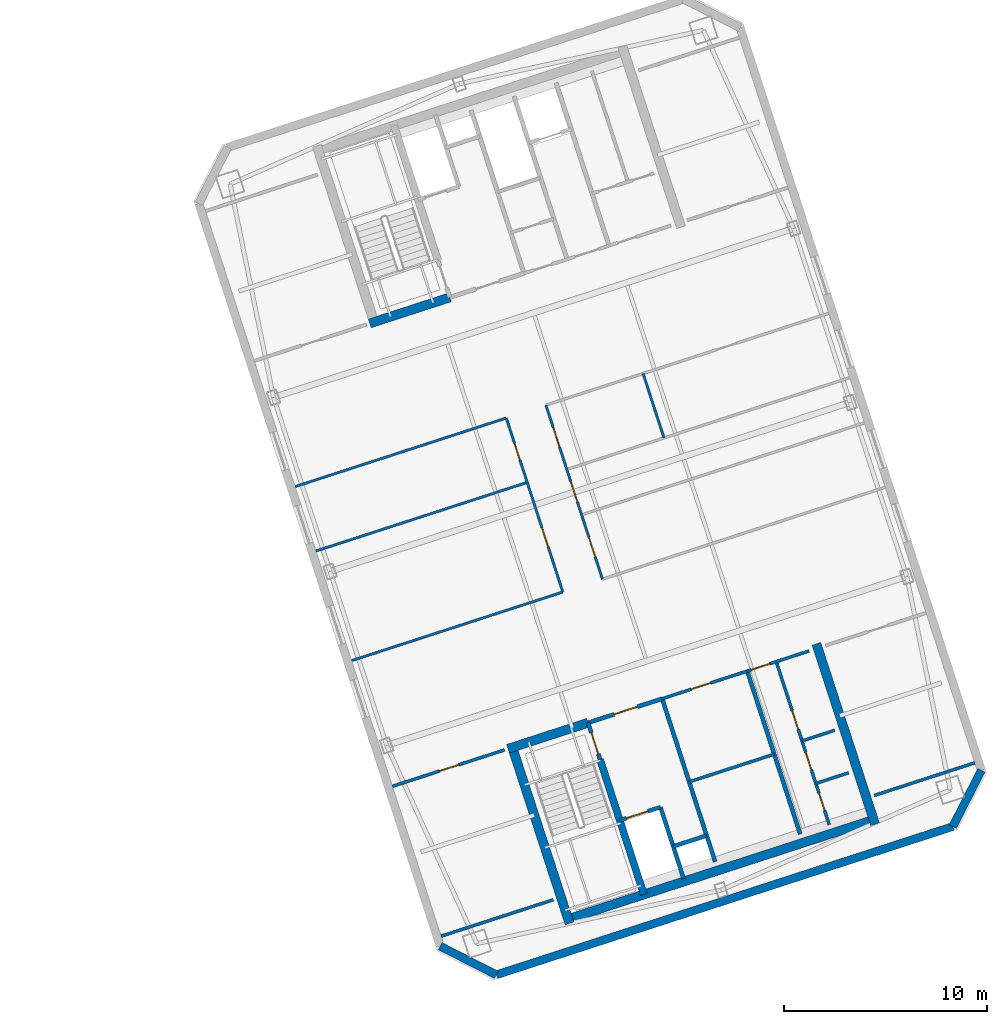
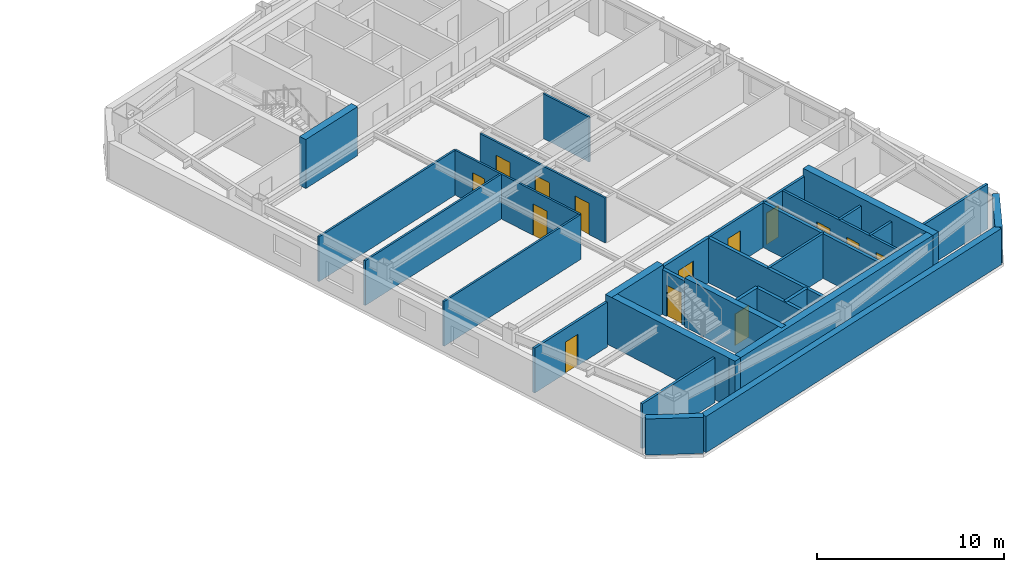
# One storey, part 8 of 13: 31 walls, 14 doors, 14 openings.
"""IFC4 building model written with IfcOpenShell, lengths in metres."""

from ifc_helpers import new_model, si_unit, direction, frame, frame_2d, origin, place, context, subcontext, project, spatial, rectangle, extrude, material, layer, layer_set, type_object, element, fill, save


model = new_model("IFC4")

# Units and contexts
model_context = context("Model", 3, precision=1e-05, world=origin(), true_north=direction((0.0, 1.0)))
body_context = subcontext(model_context, "Body", "Model", "MODEL_VIEW")
ifc_project = project(units=[si_unit("LENGTHUNIT", "METRE"), si_unit("AREAUNIT", "SQUARE_METRE"), si_unit("VOLUMEUNIT", "CUBIC_METRE"), si_unit("PLANEANGLEUNIT", "RADIAN"), si_unit("MASSUNIT", "GRAM", prefix="KILO")], contexts=[model_context])

# Site, building, storey
site_placement = place(None, origin())
site = spatial("IfcSite", under=ifc_project, at=site_placement, CompositionType="ELEMENT")
building_placement = place(site_placement, origin())
building = spatial("IfcBuilding", under=site, at=building_placement, Name="Qiaolan Cultural Towers", CompositionType="ELEMENT")
storey_placement = place(building_placement, frame((0.0, 0.0, 234.39990234375)))
storey = spatial("IfcBuildingStorey", under=building, at=storey_placement, Name="L63", CompositionType="ELEMENT", Elevation=234.39990234375)

# Walls
ifc_material_1 = material(Name="Concrete C50", Category="concrete")
ifc_layer_1 = layer(ifc_material_1, 0.35009765625)
ifc_layer_set_1 = layer_set([ifc_layer_1], Name="Concrete C50")
wall_type_1 = type_object("IfcWallType", Name="WL-CORE-350", PredefinedType="SHEAR", material=ifc_layer_set_1)
wall_1_placement = place(storey_placement, frame((90.486328125, 20.59423828125, 0.0), z_axis=(0.0, 0.0, 1.0), x_axis=(0.309020428229, -0.951055400562, 0.0)))
element("IfcWall", 1, at=wall_1_placement, inside=storey, type_object=wall_type_1, Name="L63 T2-CS Stair Core Dividing Web", PredefinedType="SHEAR", context=body_context, shape_type="SweptSolid", body=[
    extrude(rectangle(XDim=6.97998046875, YDim=0.35009765625, at=frame_2d((3.489990234375, 0.0))), origin(), (0.0, 0.0, 1.0), 3.2001953125),
])
ifc_material_2 = material(Name="Concrete C50", Category="concrete")
ifc_layer_2 = layer(ifc_material_2, 0.449951171875)
ifc_layer_set_2 = layer_set([ifc_layer_2], Name="Concrete C50")
wall_type_2 = type_object("IfcWallType", Name="WL-CORE-450", PredefinedType="SHEAR", material=ifc_layer_set_2)
wall_2_placement = place(storey_placement, frame((88.701171875, 12.675048828125, 0.0), z_axis=(0.0, 0.0, 1.0), x_axis=(0.95105824505, 0.309011673763, 0.0)))
element("IfcWall", 2, at=wall_2_placement, inside=storey, type_object=wall_type_2, Name="L63 T2-CS Outer Core Shear Wall", PredefinedType="SHEAR", context=body_context, shape_type="SweptSolid", body=[
    extrude(rectangle(XDim=16.250244140625, YDim=0.449951171875, at=frame_2d((8.125, 0.0))), origin(), (0.0, 0.0, 1.0), 3.2001953125),
])
for number, where, z_axis, x_axis, name in (
    (3, (86.1015625, 21.40380859375, 0.0), (0.0, 0.0, 1.0), (0.309035778627, -0.951050412717, 0.0), "L63 T2-CS West Core Shear Wall"),
    (4, (101.12841796875, 26.286376953125, 0.0), (0.0, 0.0, 1.0), (0.309004419953, -0.951060601881, 0.0), "L63 T2-CS East Core Shear Wall"),
):
    element("IfcWall", number, at=place(storey_placement, frame(where, z_axis=z_axis, x_axis=x_axis)), inside=storey, type_object=wall_type_2, Name=name, PredefinedType="SHEAR", context=body_context, shape_type="SweptSolid", body=[
        extrude(rectangle(XDim=9.330078125, YDim=0.449951171875, at=frame_2d((4.6650390625, 0.0))), origin(), (0.0, 0.0, 1.0), 3.2001953125),
    ])
for number, where, z_axis, x_axis, name in (
    (5, (85.957275390625, 21.120361328125, 0.0), (0.0, 0.0, 1.0), (0.951064796122, 0.308991510526, 0.0), "L63 T2-CS Stair Front Shear Wall"),
    (6, (79.15869140625, 42.04345703125, 0.0), (0.0, 0.0, 1.0), (0.951047485828, 0.309044785913, 0.0), "L63 T2-CN Stair Front Shear Wall"),
):
    element("IfcWall", number, at=place(storey_placement, frame(where, z_axis=z_axis, x_axis=x_axis)), inside=storey, type_object=wall_type_2, Name=name, PredefinedType="SHEAR", context=body_context, shape_type="SweptSolid", body=[
        extrude(rectangle(XDim=4.14501953125, YDim=0.449951171875, at=frame_2d((2.072509765625, 0.0))), origin(), (0.0, 0.0, 1.0), 3.2001953125),
    ])
ifc_material_3 = material(Name="Precast Concrete C50 Honed Stone Pier", Category="masonry")
ifc_layer_3 = layer(ifc_material_3, 0.39990234375)
ifc_layer_set_3 = layer_set([ifc_layer_3], Name="Precast Concrete C50 Honed Stone Pier")
wall_type_3 = type_object("IfcWallType", Name="WL-EXT-PIER-400", PredefinedType="SOLIDWALL", material=ifc_layer_set_3)
wall_3_placement = place(storey_placement, frame((109.247802734375, 20.06591796875, 0.0), z_axis=(0.0, 0.0, 1.0), x_axis=(-0.453949291228, -0.891027519774, 0.0)))
element("IfcWall", 7, at=wall_3_placement, inside=storey, type_object=wall_type_3, Name="L63 East Tower Precast Pier Facade Wall F6", PredefinedType="SOLIDWALL", context=body_context, shape_type="SweptSolid", body=[
    extrude(rectangle(XDim=3.111328125, YDim=0.39990234375, at=frame_2d((1.5556640625, 0.0))), origin(), (0.0, 0.0, 1.0), 2.360107421875),
])
wall_4_placement = place(storey_placement, frame((107.83544921875, 17.293701171875, 0.0), z_axis=(0.0, 0.0, 1.0), x_axis=(-0.951058012937, -0.309012388148, 0.0)))
element("IfcWall", 8, at=wall_4_placement, inside=storey, type_object=wall_type_3, Name="L63 East Tower Precast Pier Facade Wall F7", PredefinedType="SOLIDWALL", context=body_context, shape_type="SweptSolid", body=[
    extrude(rectangle(XDim=23.60009765625, YDim=0.39990234375, at=frame_2d((11.800048828125, 0.0))), origin(), (0.0, 0.0, 1.0), 2.360107421875),
])
wall_5_placement = place(storey_placement, frame((85.390380859375, 10.0009765625, 0.0), z_axis=(0.0, 0.0, 1.0), x_axis=(-0.890979603174, 0.454043331334, 0.0)))
element("IfcWall", 9, at=wall_5_placement, inside=storey, type_object=wall_type_3, Name="L63 East Tower Precast Pier Facade Wall F8", PredefinedType="SOLIDWALL", context=body_context, shape_type="SweptSolid", body=[
    extrude(rectangle(XDim=3.111083984375, YDim=0.39990234375, at=frame_2d((1.5556640625, 0.0))), origin(), (0.0, 0.0, 1.0), 2.360107421875),
])

# Wall, opening, door
ifc_material_4 = material(Name="Concrete C35 Fire Wall", Category="concrete")
ifc_layer_4 = layer(ifc_material_4, 0.199951171875)
ifc_layer_set_4 = layer_set([ifc_layer_4], Name="Concrete C35 Fire Wall")
wall_type_4 = type_object("IfcWallType", Name="WL-FIRE-200", PredefinedType="PARTITIONING", material=ifc_layer_set_4)
wall_6_placement = place(storey_placement, frame((89.8994140625, 22.401123046875, 0.0), z_axis=(0.0, 0.0, 1.0), x_axis=(0.308932062672, -0.951084108086, 0.0)))
wall_6 = element("IfcWall", 10, at=wall_6_placement, inside=storey, type_object=wall_type_4, Name="L63 T2-CS Smokeproof Stair Entry Wall", PredefinedType="PARTITIONING", context=body_context, shape_type="SweptSolid", body=[
    extrude(rectangle(XDim=1.89990234375, YDim=0.199951171875, at=frame_2d((0.949951171875, 0.0))), origin(), (0.0, 0.0, 1.0), 2.925048828125),
])
opening_1_placement = place(wall_6_placement, frame((0.52001953125, 0.0, 0.0)))
opening_1 = element("IfcOpeningElement", 11, at=opening_1_placement, cuts=wall_6, Name="Opening FD-04", PredefinedType="OPENING", context=body_context, shape_type="SweptSolid", body=[
    extrude(rectangle(XDim=1.10009765625, YDim=2.050048828125, at=frame_2d((0.550048828125, 1.02490234375))), frame((0.0, 0.10986328125, 0.0), z_axis=(0.0, -1.0, 0.0), x_axis=(1.0, 0.0, 0.0)), (0.0, 0.0, 1.0), 0.219970703125),
])
ifc_material_5 = material(Name="Galvanized Steel Command Fire Door", Category="steel")
door_type_1 = type_object("IfcDoorType", Name="DR-FD90-1100", OperationType="NOTDEFINED", PredefinedType="DOOR", material=ifc_material_5)
door_1_placement = place(opening_1_placement, origin())
door_1 = element("IfcDoor", 12, at=door_1_placement, inside=storey, type_object=door_type_1, Name="L63 ST-E1 Smokeproof Stair Fire Door", OperationType="SINGLE_SWING_LEFT", OverallHeight=2.050048828125, OverallWidth=1.10009765625, PredefinedType="DOOR", context=body_context, shape_type="SweptSolid", body=[
    extrude(rectangle(XDim=1.10009765625, YDim=2.050048828125, at=frame_2d((0.550048828125, 1.02490234375))), frame((0.0, 0.02490234375, 0.0), z_axis=(0.0, -1.0, 0.0), x_axis=(1.0, 0.0, 0.0)), (0.0, 0.0, 1.0), 0.050048828125),
])
fill(opening_1, door_1)

# Wall
wall_7_placement = place(storey_placement, frame((93.541748046875, 23.584716796875, 0.0), z_axis=(0.0, 0.0, 1.0), x_axis=(0.309042196757, -0.951048327176, 0.0)))
element("IfcWall", 13, at=wall_7_placement, inside=storey, type_object=wall_type_4, Name="L63 T2-CS Firefighting Zone Wall", PredefinedType="PARTITIONING", context=body_context, shape_type="SweptSolid", body=[
    extrude(rectangle(XDim=8.429931640625, YDim=0.199951171875, at=frame_2d((4.21484375, 0.0))), origin(), (0.0, 0.0, 1.0), 2.925048828125),
])

# Wall, opening, door
wall_8_placement = place(storey_placement, frame((89.8994140625, 22.401123046875, 0.0), z_axis=(0.0, 0.0, 1.0), x_axis=(0.951046716504, 0.309047153403, 0.0)))
wall_8 = element("IfcWall", 14, at=wall_8_placement, inside=storey, type_object=wall_type_4, Name="L63 T2-CS Firefighting Lobby Front Wall", PredefinedType="PARTITIONING", context=body_context, shape_type="SweptSolid", body=[
    extrude(rectangle(XDim=3.829833984375, YDim=0.199951171875, at=frame_2d((1.9150390625, 0.0))), origin(), (0.0, 0.0, 1.0), 2.925048828125),
])
opening_2_placement = place(wall_8_placement, frame((1.35009765625, 0.0, 0.0)))
opening_2 = element("IfcOpeningElement", 15, at=opening_2_placement, cuts=wall_8, Name="Opening FD-03", PredefinedType="OPENING", context=body_context, shape_type="SweptSolid", body=[
    extrude(rectangle(XDim=1.199951171875, YDim=2.050048828125, at=frame_2d((0.60009765625, 1.02490234375))), frame((0.0, 0.10986328125, 0.0), z_axis=(0.0, -1.0, 0.0), x_axis=(1.0, 0.0, 0.0)), (0.0, 0.0, 1.0), 0.219970703125),
])
ifc_material_6 = material(Name="Galvanized Steel Smokeproof Lobby Fire Door", Category="steel")
door_type_2 = type_object("IfcDoorType", Name="DR-FD90-1200", OperationType="NOTDEFINED", PredefinedType="DOOR", material=ifc_material_6)
door_2_placement = place(opening_2_placement, origin())
door_2 = element("IfcDoor", 16, at=door_2_placement, inside=storey, type_object=door_type_2, Name="L63 FFL-E1 Firefighting Lobby Fire Door", OperationType="SINGLE_SWING_LEFT", OverallHeight=2.050048828125, OverallWidth=1.199951171875, PredefinedType="DOOR", context=body_context, shape_type="SweptSolid", body=[
    extrude(rectangle(XDim=1.199951171875, YDim=2.050048828125, at=frame_2d((0.60009765625, 1.02490234375))), frame((0.0, 0.02490234375, 0.0), z_axis=(0.0, -1.0, 0.0), x_axis=(1.0, 0.0, 0.0)), (0.0, 0.0, 1.0), 0.050048828125),
])
fill(opening_2, door_2)

wall_9_placement = place(storey_placement, frame((91.459716796875, 17.598388671875, 0.0), z_axis=(0.0, 0.0, 1.0), x_axis=(0.951062257173, 0.308999325213, 0.0)))
wall_9 = element("IfcWall", 17, at=wall_9_placement, inside=storey, type_object=wall_type_4, Name="L63 T2-CS Firefighting Shaft Front Wall", PredefinedType="PARTITIONING", context=body_context, shape_type="SweptSolid", body=[
    extrude(rectangle(XDim=2.10009765625, YDim=0.199951171875, at=frame_2d((1.050048828125, 0.0))), origin(), (0.0, 0.0, 1.0), 2.925048828125),
])
opening_3_placement = place(wall_9_placement, frame((0.35009765625, 0.0, 0.0)))
opening_3 = element("IfcOpeningElement", 18, at=opening_3_placement, cuts=wall_9, Name="Opening LD-01", PredefinedType="OPENING", context=body_context, shape_type="SweptSolid", body=[
    extrude(rectangle(XDim=1.10009765625, YDim=2.050048828125, at=frame_2d((0.550048828125, 1.02490234375))), frame((0.0, 0.10986328125, 0.0), z_axis=(0.0, -1.0, 0.0), x_axis=(1.0, 0.0, 0.0)), (0.0, 0.0, 1.0), 0.219970703125),
])
ifc_material_7 = material(Name="Brushed Stainless Steel S30408 Centre-Parting Lift Landing Door", Category="steel")
door_type_3 = type_object("IfcDoorType", Name="DR-LIFT-1100", OperationType="NOTDEFINED", PredefinedType="DOOR", material=ifc_material_7)
door_3_placement = place(opening_3_placement, origin())
door_3 = element("IfcDoor", 19, at=door_3_placement, inside=storey, type_object=door_type_3, Name="L63 FFL-E1 Firefighting Lift Landing Door", OperationType="DOUBLE_DOOR_SLIDING", OverallHeight=2.050048828125, OverallWidth=1.10009765625, PredefinedType="DOOR", context=body_context, shape_type="SweptSolid", body=[
    extrude(rectangle(XDim=1.10009765625, YDim=2.050048828125, at=frame_2d((0.550048828125, 1.02490234375))), frame((0.0, 0.02490234375, 0.0), z_axis=(0.0, -1.0, 0.0), x_axis=(1.0, 0.0, 0.0)), (0.0, 0.0, 1.0), 0.050048828125),
])
fill(opening_3, door_3)

# Walls
wall_10_placement = place(storey_placement, frame((93.45703125, 18.247314453125, 0.0), z_axis=(0.0, 0.0, 1.0), x_axis=(0.3089935693, -0.951064127245, 0.0)))
element("IfcWall", 20, at=wall_10_placement, inside=storey, type_object=wall_type_4, Name="L63 T2-CS Firefighting Hoistway East Wall", PredefinedType="PARTITIONING", context=body_context, shape_type="SweptSolid", body=[
    extrude(rectangle(XDim=3.7001953125, YDim=0.199951171875, at=frame_2d((1.85009765625, 0.0))), origin(), (0.0, 0.0, 1.0), 2.925048828125),
])
wall_11_placement = place(storey_placement, frame((94.08447265625, 16.316650390625, 0.0), z_axis=(0.0, 0.0, 1.0), x_axis=(0.951041328149, 0.309063734775, 0.0)))
element("IfcWall", 21, at=wall_11_placement, inside=storey, type_object=wall_type_4, Name="L63 T2-CS Pressurization Shaft Front Wall", PredefinedType="PARTITIONING", context=body_context, shape_type="SweptSolid", body=[
    extrude(rectangle(XDim=1.72998046875, YDim=0.199951171875, at=frame_2d((0.864990234375, 0.0))), origin(), (0.0, 0.0, 1.0), 2.925048828125),
])
wall_12_placement = place(storey_placement, frame((97.7265625, 24.9443359375, 0.0), z_axis=(0.0, 0.0, 1.0), x_axis=(0.309016001439, -0.951056838919, 0.0)))
element("IfcWall", 22, at=wall_12_placement, inside=storey, type_object=wall_type_4, Name="L63 T2-CS Lift Core East Wall", PredefinedType="PARTITIONING", context=body_context, shape_type="SweptSolid", body=[
    extrude(rectangle(XDim=8.429931640625, YDim=0.199951171875, at=frame_2d((4.21484375, 0.0))), origin(), (0.0, 0.0, 1.0), 2.925048828125),
])
ifc_material_8 = material(Name="Gypsum Stud Acoustic Partition", Category="gypsum")
ifc_layer_5 = layer(ifc_material_8, 0.1201171875)
ifc_layer_set_5 = layer_set([ifc_layer_5], Name="Gypsum Stud Acoustic Partition")
wall_type_5 = type_object("IfcWallType", Name="WL-PART-120", PredefinedType="PARTITIONING", material=ifc_layer_set_5)
wall_13_placement = place(storey_placement, frame((78.26611328125, 25.455810546875, 0.0), z_axis=(0.0, 0.0, 1.0), x_axis=(0.951056072529, 0.309018360142, 0.0)))
element("IfcWall", 23, at=wall_13_placement, inside=storey, type_object=wall_type_5, Name="L63 T2 South Foyer West Wall", PredefinedType="PARTITIONING", context=body_context, shape_type="SweptSolid", body=[
    extrude(rectangle(XDim=10.9248046875, YDim=0.1201171875, at=frame_2d((5.46240234375, 0.0))), origin(), (0.0, 0.0, 1.0), 2.925048828125),
])
wall_14_placement = place(storey_placement, frame((75.48486328125, 34.015380859375, 0.0), z_axis=(0.0, 0.0, 1.0), x_axis=(0.951058206457, 0.309011792544, 0.0)))
element("IfcWall", 24, at=wall_14_placement, inside=storey, type_object=wall_type_5, Name="L63 T2 North Foyer West Wall", PredefinedType="PARTITIONING", context=body_context, shape_type="SweptSolid", body=[
    extrude(rectangle(XDim=10.925048828125, YDim=0.1201171875, at=frame_2d((5.46240234375, 0.0))), origin(), (0.0, 0.0, 1.0), 2.925048828125),
])

# Wall, openings, doors
wall_15_placement = place(storey_placement, frame((88.65625, 28.831787109375, 0.0), z_axis=(0.0, 0.0, 1.0), x_axis=(-0.309000197986, 0.951061973609, 0.0)))
wall_15 = element("IfcWall", 25, at=wall_15_placement, inside=storey, type_object=wall_type_5, Name="L63 T2 Central Spine West Wall", PredefinedType="PARTITIONING", context=body_context, shape_type="SweptSolid", body=[
    extrude(rectangle(XDim=9.0, YDim=0.1201171875, at=frame_2d((4.5, 0.0))), origin(), (0.0, 0.0, 1.0), 2.925048828125),
])
opening_4_placement = place(wall_15_placement, frame((2.3349609375, 0.0, 0.0)))
opening_4 = element("IfcOpeningElement", 26, at=opening_4_placement, cuts=wall_15, Name="Opening ID-04", PredefinedType="OPENING", context=body_context, shape_type="SweptSolid", body=[
    extrude(rectangle(XDim=1.0, YDim=2.050048828125, at=frame_2d((0.5, 1.02490234375))), frame((0.0, 0.070068359375, 0.0), z_axis=(0.0, -1.0, 0.0), x_axis=(1.0, 0.0, 0.0)), (0.0, 0.0, 1.0), 0.14013671875),
])
opening_5_placement = place(wall_15_placement, frame((6.8349609375, 0.0, 0.0)))
opening_5 = element("IfcOpeningElement", 27, at=opening_5_placement, cuts=wall_15, Name="Opening ID-09", PredefinedType="OPENING", context=body_context, shape_type="SweptSolid", body=[
    extrude(rectangle(XDim=0.85009765625, YDim=2.050048828125, at=frame_2d((0.425048828125, 1.02490234375))), frame((0.0, 0.070068359375, 0.0), z_axis=(0.0, -1.0, 0.0), x_axis=(1.0, 0.0, 0.0)), (0.0, 0.0, 1.0), 0.14013671875),
])
ifc_material_9 = material(Name="Oak Veneer Acoustic Office Door", Category="timber")
door_type_4 = type_object("IfcDoorType", Name="DR-INT-1000", OperationType="NOTDEFINED", PredefinedType="DOOR", material=ifc_material_9)
door_4_placement = place(opening_4_placement, origin())
door_4 = element("IfcDoor", 28, at=door_4_placement, inside=storey, type_object=door_type_4, Name="L63 T2 Presidential Conference Room Door", OperationType="SINGLE_SWING_LEFT", OverallHeight=2.050048828125, OverallWidth=1.0, PredefinedType="DOOR", context=body_context, shape_type="SweptSolid", body=[
    extrude(rectangle(XDim=1.0, YDim=2.050048828125, at=frame_2d((0.5, 1.02490234375))), frame((0.0, 0.02490234375, 0.0), z_axis=(0.0, -1.0, 0.0), x_axis=(1.0, 0.0, 0.0)), (0.0, 0.0, 1.0), 0.050048828125),
])
fill(opening_4, door_4)
ifc_material_10 = material(Name="Moisture-Resistant Laminate Utility Door", Category="timber")
door_type_5 = type_object("IfcDoorType", Name="DR-INT-850", OperationType="NOTDEFINED", PredefinedType="DOOR", material=ifc_material_10)
door_5_placement = place(opening_5_placement, origin())
door_5 = element("IfcDoor", 29, at=door_5_placement, inside=storey, type_object=door_type_5, Name="L63 T2 Diplomatic Lounge Door", OperationType="SINGLE_SWING_RIGHT", OverallHeight=2.050048828125, OverallWidth=0.85009765625, PredefinedType="DOOR", context=body_context, shape_type="SweptSolid", body=[
    extrude(rectangle(XDim=0.85009765625, YDim=2.050048828125, at=frame_2d((0.425048828125, 1.02490234375))), frame((0.0, 0.02490234375, 0.0), z_axis=(0.0, -1.0, 0.0), x_axis=(1.0, 0.0, 0.0)), (0.0, 0.0, 1.0), 0.050048828125),
])
fill(opening_5, door_5)

wall_16_placement = place(storey_placement, frame((90.60595703125, 29.46533203125, 0.0), z_axis=(0.0, 0.0, 1.0), x_axis=(-0.309024734286, 0.951054001411, 0.0)))
wall_16 = element("IfcWall", 30, at=wall_16_placement, inside=storey, type_object=wall_type_5, Name="L63 T2 Central Spine East Wall", PredefinedType="PARTITIONING", context=body_context, shape_type="SweptSolid", body=[
    extrude(rectangle(XDim=9.0, YDim=0.1201171875, at=frame_2d((4.5, 0.0))), origin(), (0.0, 0.0, 1.0), 2.925048828125),
])
opening_6_placement = place(wall_16_placement, frame((1.1650390625, 0.0, 0.0)))
opening_6 = element("IfcOpeningElement", 31, at=opening_6_placement, cuts=wall_16, Name="Opening ID-04", PredefinedType="OPENING", context=body_context, shape_type="SweptSolid", body=[
    extrude(rectangle(XDim=1.0, YDim=2.050048828125, at=frame_2d((0.5, 1.02490234375))), frame((0.0, 0.070068359375, 0.0), z_axis=(0.0, -1.0, 0.0), x_axis=(1.0, 0.0, 0.0)), (0.0, 0.0, 1.0), 0.14013671875),
])
opening_7_placement = place(wall_16_placement, frame((4.0, 0.0, 0.0)))
opening_7 = element("IfcOpeningElement", 32, at=opening_7_placement, cuts=wall_16, Name="Opening ID-07", PredefinedType="OPENING", context=body_context, shape_type="SweptSolid", body=[
    extrude(rectangle(XDim=1.050048828125, YDim=2.050048828125, at=frame_2d((0.52490234375, 1.02490234375))), frame((0.0, 0.070068359375, 0.0), z_axis=(0.0, -1.0, 0.0), x_axis=(1.0, 0.0, 0.0)), (0.0, 0.0, 1.0), 0.14013671875),
])
opening_8_placement = place(wall_16_placement, frame((6.8349609375, 0.0, 0.0)))
opening_8 = element("IfcOpeningElement", 33, at=opening_8_placement, cuts=wall_16, Name="Opening ID-04", PredefinedType="OPENING", context=body_context, shape_type="SweptSolid", body=[
    extrude(rectangle(XDim=1.0, YDim=2.050048828125, at=frame_2d((0.5, 1.02490234375))), frame((0.0, 0.070068359375, 0.0), z_axis=(0.0, -1.0, 0.0), x_axis=(1.0, 0.0, 0.0)), (0.0, 0.0, 1.0), 0.14013671875),
])
door_6_placement = place(opening_6_placement, origin())
door_6 = element("IfcDoor", 34, at=door_6_placement, inside=storey, type_object=door_type_4, Name="L63 T2 Wellness Advisory Room Door", OperationType="SINGLE_SWING_RIGHT", OverallHeight=2.050048828125, OverallWidth=1.0, PredefinedType="DOOR", context=body_context, shape_type="SweptSolid", body=[
    extrude(rectangle(XDim=1.0, YDim=2.050048828125, at=frame_2d((0.5, 1.02490234375))), frame((0.0, 0.02490234375, 0.0), z_axis=(0.0, -1.0, 0.0), x_axis=(1.0, 0.0, 0.0)), (0.0, 0.0, 1.0), 0.050048828125),
])
fill(opening_6, door_6)
door_7_placement = place(opening_8_placement, origin())
door_7 = element("IfcDoor", 35, at=door_7_placement, inside=storey, type_object=door_type_4, Name="L63 T2 Private Kitchen Door", OperationType="SINGLE_SWING_LEFT", OverallHeight=2.050048828125, OverallWidth=1.0, PredefinedType="DOOR", context=body_context, shape_type="SweptSolid", body=[
    extrude(rectangle(XDim=1.0, YDim=2.050048828125, at=frame_2d((0.5, 1.02490234375))), frame((0.0, 0.02490234375, 0.0), z_axis=(0.0, -1.0, 0.0), x_axis=(1.0, 0.0, 0.0)), (0.0, 0.0, 1.0), 0.050048828125),
])
fill(opening_8, door_7)
ifc_material_11 = material(Name="Oak Veneer Consultation Door", Category="timber")
door_type_6 = type_object("IfcDoorType", Name="DR-INT-1050", OperationType="NOTDEFINED", PredefinedType="DOOR", material=ifc_material_11)
door_8_placement = place(opening_7_placement, origin())
door_8 = element("IfcDoor", 36, at=door_8_placement, inside=storey, type_object=door_type_6, Name="L63 T2 Art Edition Shop Door", OperationType="SINGLE_SWING_LEFT", OverallHeight=2.050048828125, OverallWidth=1.050048828125, PredefinedType="DOOR", context=body_context, shape_type="SweptSolid", body=[
    extrude(rectangle(XDim=1.050048828125, YDim=2.050048828125, at=frame_2d((0.52490234375, 1.02490234375))), frame((0.0, 0.02490234375, 0.0), z_axis=(0.0, -1.0, 0.0), x_axis=(1.0, 0.0, 0.0)), (0.0, 0.0, 1.0), 0.050048828125),
])
fill(opening_7, door_8)

# Walls
wall_17_placement = place(storey_placement, frame((76.513916015625, 30.848388671875, 0.0), z_axis=(0.0, 0.0, 1.0), x_axis=(0.951056072529, 0.309018360142, 0.0)))
element("IfcWall", 37, at=wall_17_placement, inside=storey, type_object=wall_type_5, Name="L63 T2 Interior Wall", PredefinedType="PARTITIONING", context=body_context, shape_type="SweptSolid", body=[
    extrude(rectangle(XDim=10.9248046875, YDim=0.1201171875, at=frame_2d((5.46240234375, 0.0))), origin(), (0.0, 0.0, 1.0), 2.925048828125),
])
wall_18_placement = place(storey_placement, frame((93.6328125, 36.41064453125, 0.0), z_axis=(0.0, 0.0, 1.0), x_axis=(-0.309026391202, 0.95105346303, 0.0)))
element("IfcWall", 38, at=wall_18_placement, inside=storey, type_object=wall_type_5, Name="L63 T2 Interior Wall", PredefinedType="PARTITIONING", context=body_context, shape_type="SweptSolid", body=[
    extrude(rectangle(XDim=3.330078125, YDim=0.1201171875, at=frame_2d((1.6650390625, 0.0))), origin(), (0.0, 0.0, 1.0), 2.925048828125),
])

# Wall, opening, door
ifc_material_12 = material(Name="Autoclaved Aerated Concrete Block B06", Category="concrete")
ifc_layer_6 = layer(ifc_material_12, 0.14990234375)
ifc_layer_set_6 = layer_set([ifc_layer_6], Name="Autoclaved Aerated Concrete Block B06")
wall_type_6 = type_object("IfcWallType", Name="WL-PART-150", PredefinedType="PARTITIONING", material=ifc_layer_set_6)
wall_19_placement = place(storey_placement, frame((93.541748046875, 23.584716796875, 0.0), z_axis=(0.0, 0.0, 1.0), x_axis=(0.951063829732, 0.308994485023, 0.0)))
wall_19 = element("IfcWall", 39, at=wall_19_placement, inside=storey, type_object=wall_type_6, Name="L63 T2-CS Reclaimed Core Room Front Wall", PredefinedType="PARTITIONING", context=body_context, shape_type="SweptSolid", body=[
    extrude(rectangle(XDim=4.400146484375, YDim=0.14990234375, at=frame_2d((2.2001953125, 0.0))), origin(), (0.0, 0.0, 1.0), 2.925048828125),
])
opening_9_placement = place(wall_19_placement, frame((1.5, 0.0, 0.0)))
opening_9 = element("IfcOpeningElement", 40, at=opening_9_placement, cuts=wall_19, Name="Opening ID-04", PredefinedType="OPENING", context=body_context, shape_type="SweptSolid", body=[
    extrude(rectangle(XDim=1.0, YDim=2.050048828125, at=frame_2d((0.5, 1.02490234375))), frame((0.0, 0.0849609375, 0.0), z_axis=(0.0, -1.0, 0.0), x_axis=(1.0, 0.0, 0.0)), (0.0, 0.0, 1.0), 0.169921875),
])
door_9_placement = place(opening_9_placement, origin())
door_9 = element("IfcDoor", 41, at=door_9_placement, inside=storey, type_object=door_type_4, Name="L63 Focus Pod Room Door", OperationType="SINGLE_SWING_LEFT", OverallHeight=2.050048828125, OverallWidth=1.0, PredefinedType="DOOR", context=body_context, shape_type="SweptSolid", body=[
    extrude(rectangle(XDim=1.0, YDim=2.050048828125, at=frame_2d((0.5, 1.02490234375))), frame((0.0, 0.02490234375, 0.0), z_axis=(0.0, -1.0, 0.0), x_axis=(1.0, 0.0, 0.0)), (0.0, 0.0, 1.0), 0.050048828125),
])
fill(opening_9, door_9)

# Wall
wall_20_placement = place(storey_placement, frame((94.87060546875, 19.4951171875, 0.0), z_axis=(0.0, 0.0, 1.0), x_axis=(0.951042223598, 0.309060979314, 0.0)))
element("IfcWall", 42, at=wall_20_placement, inside=storey, type_object=wall_type_6, Name="L63 T2-CS Reclaimed Room Subdivider", PredefinedType="PARTITIONING", context=body_context, shape_type="SweptSolid", body=[
    extrude(rectangle(XDim=4.39990234375, YDim=0.14990234375, at=frame_2d((2.199951171875, 0.0))), origin(), (0.0, 0.0, 1.0), 2.925048828125),
])

# Wall, opening, door
wall_21_placement = place(storey_placement, frame((97.7265625, 24.9443359375, 0.0), z_axis=(0.0, 0.0, 1.0), x_axis=(0.951036872128, 0.309077446369, 0.0)))
wall_21 = element("IfcWall", 43, at=wall_21_placement, inside=storey, type_object=wall_type_6, Name="L63 T2-CS Sanitary Core Front Wall", PredefinedType="PARTITIONING", context=body_context, shape_type="SweptSolid", body=[
    extrude(rectangle(XDim=3.199951171875, YDim=0.14990234375, at=frame_2d((1.60009765625, 0.0))), origin(), (0.0, 0.0, 1.0), 2.925048828125),
])
opening_10_placement = place(wall_21_placement, frame((0.219970703125, 0.0, 0.0)))
opening_10 = element("IfcOpeningElement", 44, at=opening_10_placement, cuts=wall_21, Name="Opening ID-05", PredefinedType="OPENING", context=body_context, shape_type="SweptSolid", body=[
    extrude(rectangle(XDim=0.949951171875, YDim=2.050048828125, at=frame_2d((0.47509765625, 1.02490234375))), frame((0.0, 0.0849609375, 0.0), z_axis=(0.0, -1.0, 0.0), x_axis=(1.0, 0.0, 0.0)), (0.0, 0.0, 1.0), 0.169921875),
])
ifc_material_13 = material(Name="Fire-Rated Laminate Accessible Core Door", Category="timber")
door_type_7 = type_object("IfcDoorType", Name="DR-INT-950", OperationType="NOTDEFINED", PredefinedType="DOOR", material=ifc_material_13)
door_10_placement = place(opening_10_placement, origin())
door_10 = element("IfcDoor", 45, at=door_10_placement, inside=storey, type_object=door_type_7, Name="L63 Sanitary Vestibule Door", OperationType="SINGLE_SWING_LEFT", OverallHeight=2.050048828125, OverallWidth=0.949951171875, PredefinedType="DOOR", context=body_context, shape_type="SweptSolid", body=[
    extrude(rectangle(XDim=0.949951171875, YDim=2.050048828125, at=frame_2d((0.47509765625, 1.02490234375))), frame((0.0, 0.02490234375, 0.0), z_axis=(0.0, -1.0, 0.0), x_axis=(1.0, 0.0, 0.0)), (0.0, 0.0, 1.0), 0.050048828125),
])
fill(opening_10, door_10)

# Wall, openings, doors
wall_22_placement = place(storey_placement, frame((99.153076171875, 25.407958984375, 0.0), z_axis=(0.0, 0.0, 1.0), x_axis=(0.309016001439, -0.951056838919, 0.0)))
wall_22 = element("IfcWall", 46, at=wall_22_placement, inside=storey, type_object=wall_type_6, Name="L63 T2-CS Sanitary Vestibule Wall", PredefinedType="PARTITIONING", context=body_context, shape_type="SweptSolid", body=[
    extrude(rectangle(XDim=8.429931640625, YDim=0.14990234375, at=frame_2d((4.21484375, 0.0))), origin(), (0.0, 0.0, 1.0), 2.925048828125),
])
opening_11_placement = place(wall_22_placement, frame((2.550048828125, 0.0, 0.0)))
opening_11 = element("IfcOpeningElement", 47, at=opening_11_placement, cuts=wall_22, Name="Opening ID-05", PredefinedType="OPENING", context=body_context, shape_type="SweptSolid", body=[
    extrude(rectangle(XDim=0.949951171875, YDim=2.050048828125, at=frame_2d((0.47509765625, 1.02490234375))), frame((0.0, 0.0849609375, 0.0), z_axis=(0.0, -1.0, 0.0), x_axis=(1.0, 0.0, 0.0)), (0.0, 0.0, 1.0), 0.169921875),
])
opening_12_placement = place(wall_22_placement, frame((4.699951171875, 0.0, 0.0)))
opening_12 = element("IfcOpeningElement", 48, at=opening_12_placement, cuts=wall_22, Name="Opening ID-06", PredefinedType="OPENING", context=body_context, shape_type="SweptSolid", body=[
    extrude(rectangle(XDim=0.89990234375, YDim=2.050048828125, at=frame_2d((0.449951171875, 1.02490234375))), frame((0.0, 0.0849609375, 0.0), z_axis=(0.0, -1.0, 0.0), x_axis=(1.0, 0.0, 0.0)), (0.0, 0.0, 1.0), 0.169921875),
])
opening_13_placement = place(wall_22_placement, frame((6.800048828125, 0.0, 0.0)))
opening_13 = element("IfcOpeningElement", 49, at=opening_13_placement, cuts=wall_22, Name="Opening ID-06", PredefinedType="OPENING", context=body_context, shape_type="SweptSolid", body=[
    extrude(rectangle(XDim=0.89990234375, YDim=2.050048828125, at=frame_2d((0.449951171875, 1.02490234375))), frame((0.0, 0.0849609375, 0.0), z_axis=(0.0, -1.0, 0.0), x_axis=(1.0, 0.0, 0.0)), (0.0, 0.0, 1.0), 0.169921875),
])
ifc_material_14 = material(Name="Fire-Rated Laminate Core Service Door", Category="timber")
door_type_8 = type_object("IfcDoorType", Name="DR-INT-900", OperationType="NOTDEFINED", PredefinedType="DOOR", material=ifc_material_14)
door_11_placement = place(opening_12_placement, origin())
door_11 = element("IfcDoor", 50, at=door_11_placement, inside=storey, type_object=door_type_8, Name="L63 Men Washroom Door", OperationType="SINGLE_SWING_LEFT", OverallHeight=2.050048828125, OverallWidth=0.89990234375, PredefinedType="DOOR", context=body_context, shape_type="SweptSolid", body=[
    extrude(rectangle(XDim=0.89990234375, YDim=2.050048828125, at=frame_2d((0.449951171875, 1.02490234375))), frame((0.0, 0.02490234375, 0.0), z_axis=(0.0, -1.0, 0.0), x_axis=(1.0, 0.0, 0.0)), (0.0, 0.0, 1.0), 0.050048828125),
])
fill(opening_12, door_11)
door_12_placement = place(opening_13_placement, origin())
door_12 = element("IfcDoor", 51, at=door_12_placement, inside=storey, type_object=door_type_8, Name="L63 Women Washroom Door", OperationType="SINGLE_SWING_RIGHT", OverallHeight=2.050048828125, OverallWidth=0.89990234375, PredefinedType="DOOR", context=body_context, shape_type="SweptSolid", body=[
    extrude(rectangle(XDim=0.89990234375, YDim=2.050048828125, at=frame_2d((0.449951171875, 1.02490234375))), frame((0.0, 0.02490234375, 0.0), z_axis=(0.0, -1.0, 0.0), x_axis=(1.0, 0.0, 0.0)), (0.0, 0.0, 1.0), 0.050048828125),
])
fill(opening_13, door_12)
door_13_placement = place(opening_11_placement, origin())
door_13 = element("IfcDoor", 52, at=door_13_placement, inside=storey, type_object=door_type_7, Name="L63 Accessible Family Washroom Door", OperationType="SINGLE_SWING_LEFT", OverallHeight=2.050048828125, OverallWidth=0.949951171875, PredefinedType="DOOR", context=body_context, shape_type="SweptSolid", body=[
    extrude(rectangle(XDim=0.949951171875, YDim=2.050048828125, at=frame_2d((0.47509765625, 1.02490234375))), frame((0.0, 0.02490234375, 0.0), z_axis=(0.0, -1.0, 0.0), x_axis=(1.0, 0.0, 0.0)), (0.0, 0.0, 1.0), 0.050048828125),
])
fill(opening_11, door_13)

# Walls
wall_23_placement = place(storey_placement, frame((100.420166015625, 21.508544921875, 0.0), z_axis=(0.0, 0.0, 1.0), x_axis=(0.951040401051, 0.309066587596, 0.0)))
element("IfcWall", 53, at=wall_23_placement, inside=storey, type_object=wall_type_6, Name="L63 T2-CS Restroom Split Wall 1", PredefinedType="PARTITIONING", context=body_context, shape_type="SweptSolid", body=[
    extrude(rectangle(XDim=1.699951171875, YDim=0.14990234375, at=frame_2d((0.85009765625, 0.0))), origin(), (0.0, 0.0, 1.0), 2.925048828125),
])
wall_24_placement = place(storey_placement, frame((101.099853515625, 19.416259765625, 0.0), z_axis=(0.0, 0.0, 1.0), x_axis=(0.951054116971, 0.309024378638, 0.0)))
element("IfcWall", 54, at=wall_24_placement, inside=storey, type_object=wall_type_6, Name="L63 T2-CS Restroom Split Wall 2", PredefinedType="PARTITIONING", context=body_context, shape_type="SweptSolid", body=[
    extrude(rectangle(XDim=1.7001953125, YDim=0.14990234375, at=frame_2d((0.85009765625, 0.0))), origin(), (0.0, 0.0, 1.0), 2.925048828125),
])
wall_25_placement = place(storey_placement, frame((82.66943359375, 11.9033203125, 0.0), z_axis=(0.0, 0.0, 1.0), x_axis=(0.951059431056, 0.309008023519, 0.0)))
element("IfcWall", 55, at=wall_25_placement, inside=storey, type_object=wall_type_6, Name="L63 T2 Flank Wall FLK-SW", PredefinedType="PARTITIONING", context=body_context, shape_type="SweptSolid", body=[
    extrude(rectangle(XDim=5.800048828125, YDim=0.14990234375, at=frame_2d((2.89990234375, 0.0))), origin(), (0.0, 0.0, 1.0), 2.925048828125),
])

# Wall, opening, door
wall_26_placement = place(storey_placement, frame((80.274658203125, 19.27392578125, 0.0), z_axis=(0.0, 0.0, 1.0), x_axis=(0.951059431056, 0.309008023519, 0.0)))
wall_26 = element("IfcWall", 56, at=wall_26_placement, inside=storey, type_object=wall_type_6, Name="L63 T2 Flank Front FLK-SW", PredefinedType="PARTITIONING", context=body_context, shape_type="SweptSolid", body=[
    extrude(rectangle(XDim=5.800048828125, YDim=0.14990234375, at=frame_2d((2.89990234375, 0.0))), origin(), (0.0, 0.0, 1.0), 2.925048828125),
])
opening_14_placement = place(wall_26_placement, frame((2.43603515625, 0.0, 0.0)))
opening_14 = element("IfcOpeningElement", 57, at=opening_14_placement, cuts=wall_26, Name="Opening ID-04", PredefinedType="OPENING", context=body_context, shape_type="SweptSolid", body=[
    extrude(rectangle(XDim=1.0, YDim=2.050048828125, at=frame_2d((0.5, 1.02490234375))), frame((0.0, 0.0849609375, 0.0), z_axis=(0.0, -1.0, 0.0), x_axis=(1.0, 0.0, 0.0)), (0.0, 0.0, 1.0), 0.169921875),
])
door_14_placement = place(opening_14_placement, origin())
door_14 = element("IfcDoor", 58, at=door_14_placement, inside=storey, type_object=door_type_4, Name="L63 T2 Corner Studio Door", OperationType="SINGLE_SWING_LEFT", OverallHeight=2.050048828125, OverallWidth=1.0, PredefinedType="DOOR", context=body_context, shape_type="SweptSolid", body=[
    extrude(rectangle(XDim=1.0, YDim=2.050048828125, at=frame_2d((0.5, 1.02490234375))), frame((0.0, 0.02490234375, 0.0), z_axis=(0.0, -1.0, 0.0), x_axis=(1.0, 0.0, 0.0)), (0.0, 0.0, 1.0), 0.050048828125),
])
fill(opening_14, door_14)

# Wall
wall_27_placement = place(storey_placement, frame((103.97314453125, 18.8251953125, 0.0), z_axis=(0.0, 0.0, 1.0), x_axis=(0.951055112834, 0.309021313752, 0.0)))
element("IfcWall", 59, at=wall_27_placement, inside=storey, type_object=wall_type_6, Name="L63 T2 Flank Wall FLK-SE", PredefinedType="PARTITIONING", context=body_context, shape_type="SweptSolid", body=[
    extrude(rectangle(XDim=5.2001953125, YDim=0.14990234375, at=frame_2d((2.60009765625, 0.0))), origin(), (0.0, 0.0, 1.0), 2.925048828125),
])

save(model, "model.ifc")
